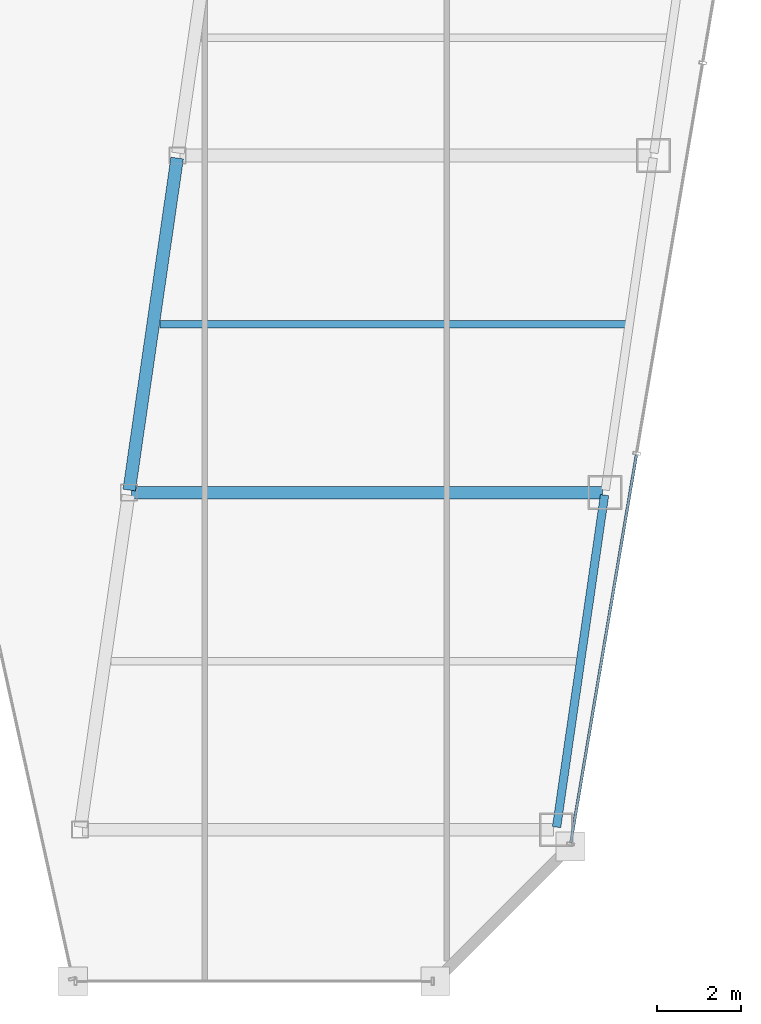
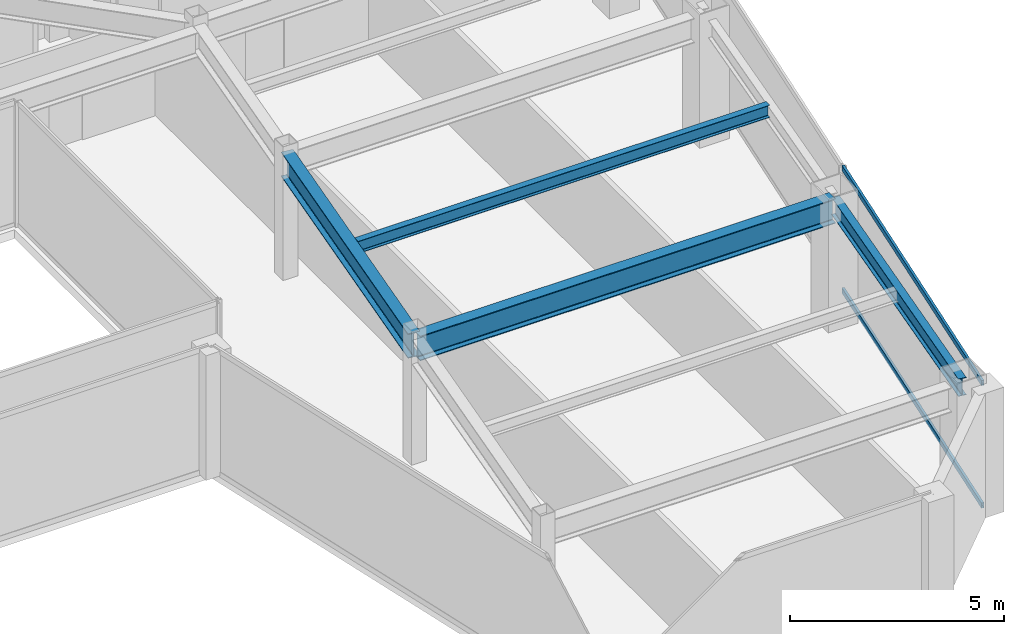
# One storey, part 19 of 36: 4 beams, 2 members, 1 element without a shape of its own.
"""IFC4 building model written with IfcOpenShell, lengths in metres."""

import ifcopenshell
import ifcopenshell.guid

model = None  # the IFC model being written
_history = None  # IfcOwnerHistory: only IFC2X3 demands one
_inside = {}  # id of a spatial element -> (the spatial element, [elements in it])
_under = {}  # id of a project, library or spatial element -> (it, [spatial elements below it])
_declared = {}  # id of a project -> (the project, [libraries it declares])
_typed = {}  # id of a type object -> (the type object, [elements of that type])
_made_of = {}  # id of a material, layer set ... -> (it, [elements and type objects made of it])


def new_model(schema):
    """Start an empty IFC model of exactly this schema.

    Asked for "IFC4X3", IfcOpenShell would pick the latest addendum, in which some entities
    have other attributes; the version numbers below select the first issue.
    IFC2X3 requires an IfcOwnerHistory on every rooted entity: one is made here for all.
    """
    global model, _history
    if schema == "IFC4X3":
        model = ifcopenshell.file(schema_version=(4, 3, 0, 0))
    else:
        model = ifcopenshell.file(schema=schema)
    _inside.clear()
    _under.clear()
    _declared.clear()
    _typed.clear()
    _made_of.clear()
    _history = None
    if model.schema == "IFC2X3":
        org = make("IfcOrganization", Name="unknown")
        user = make(
            "IfcPersonAndOrganization",
            ThePerson=make("IfcPerson", FamilyName="unknown"),
            TheOrganization=org,
        )
        app = make(
            "IfcApplication",
            ApplicationDeveloper=org,
            Version="unknown",
            ApplicationFullName="unknown",
            ApplicationIdentifier="unknown",
        )
        _history = make(
            "IfcOwnerHistory",
            OwningUser=user,
            OwningApplication=app,
            ChangeAction="ADDED",
            CreationDate=0,
        )
    return model


def make(cls, **values):
    """One entity of the class cls with the attributes given. An attribute that is None is left unset."""
    return model.create_entity(
        cls, **{name: value for name, value in values.items() if value is not None}
    )


def rooted(cls, **values):
    """An entity with a GlobalId (a new one), such as an element, a storey or a relation."""
    return make(cls, GlobalId=ifcopenshell.guid.new(), OwnerHistory=_history, **values)


def si_unit(unit_type, name, prefix=None):
    """IfcSIUnit, for example si_unit("LENGTHUNIT", "METRE", prefix="MILLI")."""
    return make("IfcSIUnit", UnitType=unit_type, Prefix=prefix, Name=name)


def assignment(units):
    """IfcUnitAssignment: the units of a project."""
    return None if units is None else make("IfcUnitAssignment", Units=units)


def point(xyz):
    """IfcCartesianPoint."""
    return None if xyz is None else make("IfcCartesianPoint", Coordinates=xyz)


def direction(xyz):
    """IfcDirection."""
    return None if xyz is None else make("IfcDirection", DirectionRatios=xyz)


def frame(location, z_axis=None, x_axis=None):
    """IfcAxis2Placement3D, a coordinate frame: its origin and axes. An axis left out is left unset."""
    return make(
        "IfcAxis2Placement3D",
        Location=point(location),
        Axis=direction(z_axis),
        RefDirection=direction(x_axis),
    )


def frame_2d(location, x_axis=None):
    """IfcAxis2Placement2D, a coordinate frame in the plane: its origin and x axis."""
    return make(
        "IfcAxis2Placement2D", Location=point(location), RefDirection=direction(x_axis)
    )


def origin():
    """The frame at (0, 0, 0) with its axes left unset."""
    return frame((0.0, 0.0, 0.0))


def origin_2d():
    """The frame at (0, 0) in the plane with its x axis left unset."""
    return frame_2d((0.0, 0.0))


def place(relative_to, where):
    """IfcLocalPlacement: puts the frame where relative to a parent placement (None: the world)."""
    return make(
        "IfcLocalPlacement", PlacementRelTo=relative_to, RelativePlacement=where
    )


def context(
    kind, dimensions, precision=None, world=None, true_north=None, identifier=None
):
    """IfcGeometricRepresentationContext, for example the 3D "Model" context."""
    return make(
        "IfcGeometricRepresentationContext",
        ContextIdentifier=identifier,
        ContextType=kind,
        CoordinateSpaceDimension=dimensions,
        Precision=precision,
        WorldCoordinateSystem=world,
        TrueNorth=true_north,
    )


def subcontext(parent, identifier, kind, view, scale=None):
    """IfcGeometricRepresentationSubContext, for example "Body" below "Model"."""
    return make(
        "IfcGeometricRepresentationSubContext",
        ContextIdentifier=identifier,
        ContextType=kind,
        ParentContext=parent,
        TargetScale=scale,
        TargetView=view,
    )


def project(units=None, contexts=None):
    """IfcProject with its units and contexts."""
    return rooted(
        "IfcProject",
        Name="project",
        RepresentationContexts=contexts,
        UnitsInContext=assignment(units),
    )


def spatial(cls, under=None, at=None, **own):
    """A site, building, storey or space (cls), placed at a placement, below another one or the project."""
    s = rooted(cls, ObjectPlacement=at, **own)
    if under is not None:
        _under.setdefault(under.id(), (under, []))[1].append(s)
    return s


def profile(cls, at=None, kind="AREA", **sizes):
    """A parametric profile (cls). Its sizes go by their IFC names, for example OverallWidth=200.0."""
    return make(cls, ProfileType=kind, Position=at, **sizes)


def hollow_rectangle(**sizes):
    """IfcRectangleHollowProfileDef."""
    return profile("IfcRectangleHollowProfileDef", **sizes)


def i_section(**sizes):
    """IfcIShapeProfileDef."""
    return profile("IfcIShapeProfileDef", **sizes)


def extrude(swept, where, along, depth):
    """IfcExtrudedAreaSolid: the profile swept, set in the frame where, extruded along a direction by depth."""
    return make(
        "IfcExtrudedAreaSolid",
        SweptArea=swept,
        Position=where,
        ExtrudedDirection=direction(along),
        Depth=depth,
    )


def shape(context_of_items, identifier, shape_type, items):
    """IfcShapeRepresentation: the items that make up one representation, for example the "Body"."""
    return make(
        "IfcShapeRepresentation",
        ContextOfItems=context_of_items,
        RepresentationIdentifier=identifier,
        RepresentationType=shape_type,
        Items=items,
    )


def material(Name=None, Category=None):
    """IfcMaterial."""
    return make("IfcMaterial", Name=Name, Category=Category)


def material_profile(
    of_material, cross_section, Name=None, Category=None, Priority=None
):
    """IfcMaterialProfile: a cross section and its material."""
    return make(
        "IfcMaterialProfile",
        Name=Name,
        Material=of_material,
        Profile=cross_section,
        Priority=Priority,
        Category=Category,
    )


def profile_set(profiles, Name=None, composite=None):
    """IfcMaterialProfileSet."""
    return make(
        "IfcMaterialProfileSet",
        Name=Name,
        MaterialProfiles=profiles,
        CompositeProfile=composite,
    )


def made_of(thing, what):
    """Note that an element or type object is made of a material, layer set ...; save() writes the relation."""
    if what is not None:
        _made_of.setdefault(what.id(), (what, []))[1].append(thing)
    return thing


def type_object(cls, material=None, **own):
    """A type object (cls), such as IfcWallType, which elements share."""
    return made_of(rooted(cls, **own), material)


def element(
    cls,
    number,
    at=None,
    inside=None,
    cuts=None,
    type_object=None,
    material=None,
    context=None,
    identifier="Body",
    shape_type=None,
    held_by="IfcProductDefinitionShape",
    body=None,
    shapes=None,
    **own,
):
    """One element of the class cls, such as IfcWall. Its Tag is "e" and its number.

    at: its placement. inside: the storey or other place that contains it. cuts: it is an
    opening in that element (IfcRelVoidsElement). A single representation is given by context,
    identifier, shape_type and body (its items); several are given by shapes. held_by: the class
    of the entity that holds the representations. save() writes the other relations.
    """
    e = rooted(cls, Tag="e%d" % number, ObjectPlacement=at, **own)
    if body is not None:
        shapes = [shape(context, identifier, shape_type, body)]
    if shapes is not None:
        e.Representation = make(held_by, Representations=shapes)
    if inside is not None:
        _inside.setdefault(inside.id(), (inside, []))[1].append(e)
    if cuts is not None:
        rooted(
            "IfcRelVoidsElement", RelatingBuildingElement=cuts, RelatedOpeningElement=e
        )
    if type_object is not None:
        _typed.setdefault(type_object.id(), (type_object, []))[1].append(e)
    return made_of(e, material)


def aggregate(whole, parts):
    """IfcRelAggregates: a whole, such as a stair, and the parts it consists of."""
    return rooted("IfcRelAggregates", RelatingObject=whole, RelatedObjects=parts)


def save(model, path):
    """Write the relations noted so far, then the file.

    IfcRelAggregates (storeys below a building ...), IfcRelContainedInSpatialStructure (elements
    in a storey), IfcRelDefinesByType, IfcRelAssociatesMaterial and IfcRelDeclares: one each for
    every whole, place, type object, material and project.
    """
    for whole, parts in _under.values():
        aggregate(whole, parts)
    for where, things in _inside.values():
        rooted(
            "IfcRelContainedInSpatialStructure",
            RelatedElements=things,
            RelatingStructure=where,
        )
    for kind, things in _typed.values():
        rooted("IfcRelDefinesByType", RelatedObjects=things, RelatingType=kind)
    for what, things in _made_of.values():
        rooted("IfcRelAssociatesMaterial", RelatedObjects=things, RelatingMaterial=what)
    for by, libraries in _declared.values():
        rooted("IfcRelDeclares", RelatingContext=by, RelatedDefinitions=libraries)
    model.write(path)


model = new_model("IFC4")

# Units and contexts
model_context = context("Model", 3, precision=1e-05, world=origin(), true_north=direction((0.0, 1.0)))
body_context = subcontext(model_context, "Body", "Model", "MODEL_VIEW")
ifc_project = project(units=[si_unit("LENGTHUNIT", "METRE"), si_unit("AREAUNIT", "SQUARE_METRE"), si_unit("VOLUMEUNIT", "CUBIC_METRE"), si_unit("PLANEANGLEUNIT", "RADIAN"), si_unit("MASSUNIT", "GRAM", prefix="KILO")], contexts=[model_context])

# Site, building, storey
site_placement = place(None, origin())
site = spatial("IfcSite", under=ifc_project, at=site_placement, CompositionType="ELEMENT")
building_placement = place(site_placement, origin())
building = spatial("IfcBuilding", under=site, at=building_placement, Name="Saevonmaru Cultural Tower", CompositionType="ELEMENT")
storey_placement = place(building_placement, frame((0.0, 0.0, 186.60009765625)))
storey = spatial("IfcBuildingStorey", under=building, at=storey_placement, Name="L42", CompositionType="ELEMENT", Elevation=186.60009765625)

# Beams
ifc_material_1 = material(Name="Steel SM355", Category="steel")
ifc_material_profile_1 = material_profile(ifc_material_1, i_section(OverallWidth=0.300048828125, OverallDepth=0.699951171875, WebThickness=0.012939453125, FlangeThickness=0.02392578125, FilletRadius=0.02587890625, at=origin_2d()), Name="H-700x300x13x24")
ifc_profile_set_1 = profile_set([ifc_material_profile_1], Name="Steel SM355")
beam_type_1 = type_object("IfcBeamType", Name="BM-G-H700", PredefinedType="BEAM", material=ifc_profile_set_1)
beam_1_placement = place(storey_placement, frame((39.236572265625, 24.059326171875, 3.199951171875), z_axis=(0.142902032203, 0.989736838353, 0.0), x_axis=(-0.989736838353, 0.142902032203, 0.0)))
element("IfcBeam", 1, at=beam_1_placement, inside=storey, type_object=beam_type_1, Name="L42 East Atrium Girder 2", PredefinedType="BEAM", context=body_context, shape_type="SweptSolid", body=[
    extrude(i_section(OverallWidth=0.300048828125, OverallDepth=0.699951171875, WebThickness=0.012939453125, FlangeThickness=0.02392578125, FilletRadius=0.02587890625, at=origin_2d()), origin(), (0.0, 0.0, 1.0), 7.963134765625),
])
beam_2_placement = place(storey_placement, frame((39.2880859375, 24.0, 3.199951171875), z_axis=(1.0, 0.0, 0.0), x_axis=(0.0, 1.0, 0.0)))
element("IfcBeam", 2, at=beam_2_placement, inside=storey, type_object=beam_type_1, Name="L42 East Wing Transverse Girder 2", PredefinedType="BEAM", context=body_context, shape_type="SweptSolid", body=[
    extrude(i_section(OverallWidth=0.300048828125, OverallDepth=0.699951171875, WebThickness=0.012939453125, FlangeThickness=0.02392578125, FilletRadius=0.02587890625, at=origin_2d()), origin(), (0.0, 0.0, 1.0), 11.179931640625),
])
ifc_material_profile_2 = material_profile(ifc_material_1, i_section(OverallWidth=0.175048828125, OverallDepth=0.35009765625, WebThickness=0.007080078125, FlangeThickness=0.010986328125, FilletRadius=0.012939453125, at=origin_2d()), Name="H-350x175x7x11")
ifc_profile_set_2 = profile_set([ifc_material_profile_2], Name="Steel SM355")
beam_type_2 = type_object("IfcBeamType", Name="BM-J-H350", PredefinedType="JOIST", material=ifc_profile_set_2)
beam_3_placement = place(storey_placement, frame((39.96337890625, 28.0, 3.375), z_axis=(1.0, 0.0, 0.0), x_axis=(0.0, 1.0, 0.0)))
element("IfcBeam", 3, at=beam_3_placement, inside=storey, type_object=beam_type_2, Name="L42 East Wing Floor Joist 2", PredefinedType="JOIST", context=body_context, shape_type="SweptSolid", body=[
    extrude(i_section(OverallWidth=0.175048828125, OverallDepth=0.35009765625, WebThickness=0.007080078125, FlangeThickness=0.010986328125, FilletRadius=0.012939453125, at=origin_2d()), origin(), (0.0, 0.0, 1.0), 11.08203125),
])
ifc_material_profile_3 = material_profile(ifc_material_1, i_section(OverallWidth=0.199951171875, OverallDepth=0.5, WebThickness=0.010009765625, FlangeThickness=0.01611328125, FilletRadius=0.02001953125, at=origin_2d()), Name="H-500x200x10x16")
ifc_profile_set_3 = profile_set([ifc_material_profile_3], Name="Steel SM355")
beam_type_3 = type_object("IfcBeamType", Name="BM-SP-H500", PredefinedType="SPANDREL", material=ifc_profile_set_3)
beam_4_placement = place(storey_placement, frame((49.380615234375, 16.059326171875, 3.2998046875), z_axis=(0.142992129437, 0.989723825579, 0.0), x_axis=(-0.989723825579, 0.142992129437, 0.0)))
element("IfcBeam", 4, at=beam_4_placement, inside=storey, type_object=beam_type_3, Name="L42 East Splayed Spandrel 1", PredefinedType="SPANDREL", context=body_context, shape_type="SweptSolid", body=[
    extrude(i_section(OverallWidth=0.199951171875, OverallDepth=0.5, WebThickness=0.010009765625, FlangeThickness=0.01611328125, FilletRadius=0.02001953125, at=origin_2d()), origin(), (0.0, 0.0, 1.0), 7.963134765625),
])

# Curtain wall, members
ifc_material_2 = material(Name="Satin Bronze Anodised Aluminium", Category="aluminium")
curtain_wall_type = type_object("IfcCurtainWallType", Name="CW-TYP-B", PredefinedType="NOTDEFINED", material=ifc_material_2)
curtain_wall_placement = place(storey_placement, origin())
curtain_wall = element("IfcCurtainWall", 5, at=curtain_wall_placement, inside=storey, type_object=curtain_wall_type, Name="L42 Unitised Curtain Wall E8", PredefinedType="NOTDEFINED")
ifc_material_profile_4 = material_profile(ifc_material_2, hollow_rectangle(XDim=0.06494140625, YDim=0.14990234375, WallThickness=0.00390625, at=origin_2d()), Name="ALU-TRAN-150x65x4")
ifc_profile_set_4 = profile_set([ifc_material_profile_4], Name="Satin Bronze Anodised Aluminium")
member_type = type_object("IfcMemberType", Name="TR-CW-150x65", PredefinedType="USERDEFINED", material=ifc_profile_set_4)
member_1_placement = place(storey_placement, frame((49.717529296875, 15.691162109375, 0.032470703125), z_axis=(0.166921263871, 0.985970228591, 0.0), x_axis=(-0.985970228591, 0.166921263871, 0.0)))
member_1 = element("IfcMember", 6, at=member_1_placement, type_object=member_type, Name="CW-TW-L42-E8 transom 1.1", ObjectType="TRANSOM", PredefinedType="USERDEFINED", context=body_context, shape_type="SweptSolid", body=[
    extrude(hollow_rectangle(XDim=0.06494140625, YDim=0.14990234375, WallThickness=0.00390625, at=origin_2d()), origin(), (0.0, 0.0, 1.0), 9.33740234375),
])
member_2_placement = place(storey_placement, frame((49.717529296875, 15.691162109375, 3.517333984375), z_axis=(0.166921263871, 0.985970228591, 0.0), x_axis=(-0.985970228591, 0.166921263871, 0.0)))
member_2 = element("IfcMember", 7, at=member_2_placement, type_object=member_type, Name="CW-TW-L42-E8 transom 1.2", ObjectType="TRANSOM", PredefinedType="USERDEFINED", context=body_context, shape_type="SweptSolid", body=[
    extrude(hollow_rectangle(XDim=0.06494140625, YDim=0.14990234375, WallThickness=0.00390625, at=origin_2d()), origin(), (0.0, 0.0, 1.0), 9.33740234375),
])
aggregate(curtain_wall, [member_1, member_2])

save(model, "model.ifc")
